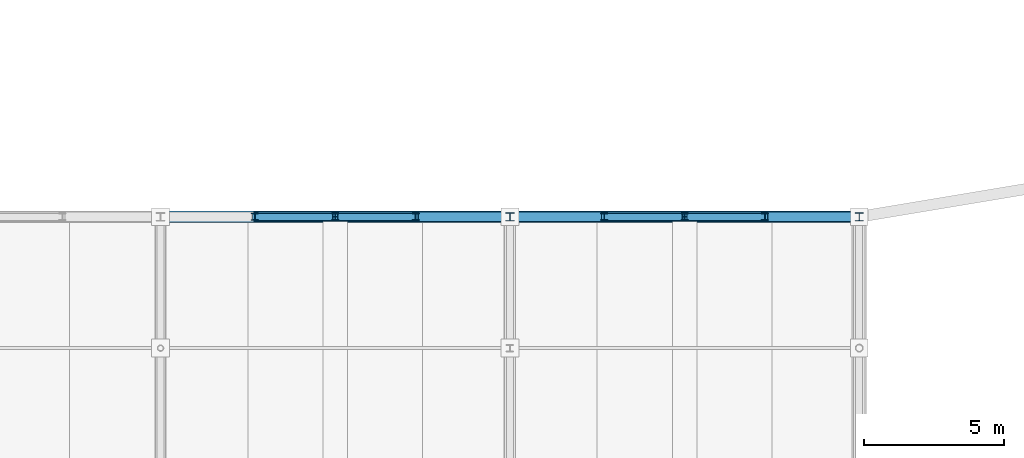
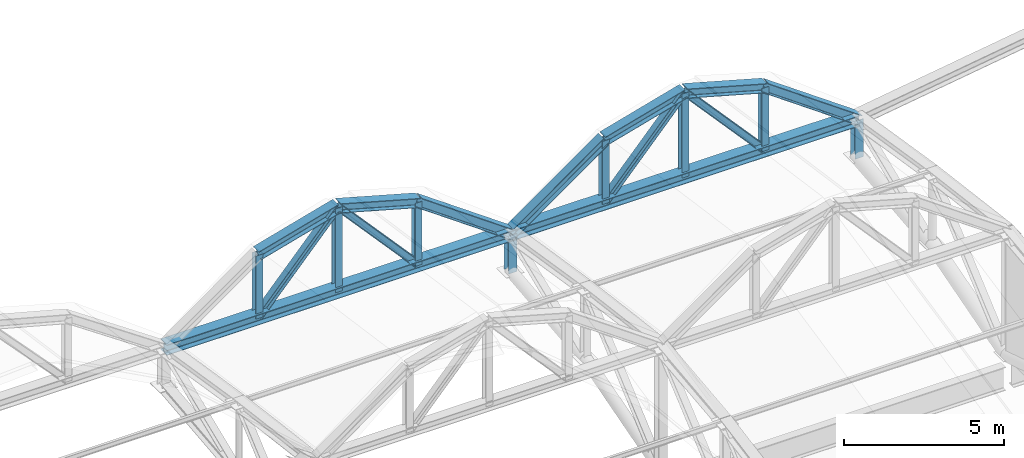
# One storey, part 58 of 117: 21 members.
"""IFC4 building model written with IfcOpenShell, lengths in metres."""

from ifc_helpers import new_model, si_unit, direction, frame, origin, origin_2d, place, context, subcontext, project, spatial, i_section, extrude, material, material_profile, profile_set, type_object, element, save


model = new_model("IFC4")

# Units and contexts
model_context = context("Model", 3, precision=1e-05, world=origin(), true_north=direction((0.0, 1.0)))
body_context = subcontext(model_context, "Body", "Model", "MODEL_VIEW")
ifc_project = project(units=[si_unit("LENGTHUNIT", "METRE"), si_unit("AREAUNIT", "SQUARE_METRE"), si_unit("VOLUMEUNIT", "CUBIC_METRE"), si_unit("PLANEANGLEUNIT", "RADIAN"), si_unit("MASSUNIT", "GRAM", prefix="KILO")], contexts=[model_context])

# Site, building, storey
site_placement = place(None, origin())
site = spatial("IfcSite", under=ifc_project, at=site_placement, CompositionType="ELEMENT")
building_placement = place(site_placement, origin())
building = spatial("IfcBuilding", under=site, at=building_placement, Name="Kazenohara Klinker Stadium", CompositionType="ELEMENT")
storey_placement = place(building_placement, frame((0.0, 0.0, 31.199951171875)))
storey = spatial("IfcBuildingStorey", under=building, at=storey_placement, Name="RF", CompositionType="ELEMENT", Elevation=31.199951171875)

# Members
ifc_material = material(Name="Steel S355", Category="steel")
ifc_material_profile_1 = material_profile(ifc_material, i_section(OverallWidth=0.39990234375, OverallDepth=0.39990234375, WebThickness=0.012939453125, FlangeThickness=0.02099609375, FilletRadius=0.02197265625, at=origin_2d()), Name="H-400x400x13x21")
ifc_profile_set_1 = profile_set([ifc_material_profile_1], Name="Steel S355")
member_type_1 = type_object("IfcMemberType", Name="MEM-CHD01", PredefinedType="CHORD", material=ifc_profile_set_1)
for number, where, z_axis, x_axis, name in (
    (1, (150.0, 45.39990234375, 3.300048828125), (-1.0, 0.0, 0.0), (0.0, -1.0, 0.0), "Inner tension ring chord TC01 segment 25"),
    (2, (137.5, 45.39990234375, 3.300048828125), (-1.0, 0.0, 0.0), (0.0, -1.0, 0.0), "Inner tension ring chord TC01 segment 26"),
):
    element("IfcMember", number, at=place(storey_placement, frame(where, z_axis=z_axis, x_axis=x_axis)), inside=storey, type_object=member_type_1, Name=name, PredefinedType="CHORD", context=body_context, shape_type="SweptSolid", body=[
        extrude(i_section(OverallWidth=0.39990234375, OverallDepth=0.39990234375, WebThickness=0.012939453125, FlangeThickness=0.02099609375, FilletRadius=0.02197265625, at=origin_2d()), origin(), (0.0, 0.0, 1.0), 12.5),
    ])
ifc_material_profile_2 = material_profile(ifc_material, i_section(OverallWidth=0.35009765625, OverallDepth=0.35009765625, WebThickness=0.011962890625, FlangeThickness=0.01904296875, FilletRadius=0.012939453125, at=origin_2d()), Name="H-350x350x12x19")
ifc_profile_set_2 = profile_set([ifc_material_profile_2], Name="Steel S355")
member_type_2 = type_object("IfcMemberType", Name="MEM-CHD02", PredefinedType="CHORD", material=ifc_profile_set_2)
for number, where, z_axis, x_axis, name in (
    (3, (128.375, 45.39990234375, 5.699951171875), (0.963393567269, 0.0, 0.268091093745), (0.0, 1.0, 0.0), "Barrel arch top rib TC02 S-06-N5-S2"),
    (4, (131.25, 45.39990234375, 6.5), (0.963393567269, 0.0, -0.268091093745), (0.0, 1.0, 0.0), "Barrel arch top rib TC02 S-06-N5-S3"),
):
    element("IfcMember", number, at=place(storey_placement, frame(where, z_axis=z_axis, x_axis=x_axis)), inside=storey, type_object=member_type_2, Name=name, PredefinedType="CHORD", context=body_context, shape_type="SweptSolid", body=[
        extrude(i_section(OverallWidth=0.35009765625, OverallDepth=0.35009765625, WebThickness=0.011962890625, FlangeThickness=0.01904296875, FilletRadius=0.012939453125, at=origin_2d()), origin(), (0.0, 0.0, 1.0), 2.984130859375),
    ])
for number, where, z_axis, x_axis, name in (
    (5, (134.125, 45.39990234375, 5.699951171875), (0.814966461491, 0.0, -0.579508124744), (0.0, 1.0, 0.0), "Barrel arch top rib TC02 S-06-N5-S4"),
    (6, (137.5, 45.39990234375, 3.300048828125), (0.814966461491, 0.0, 0.579508124744), (0.0, 1.0, 0.0), "Barrel arch top rib TC02 S-07-N5-S1"),
):
    element("IfcMember", number, at=place(storey_placement, frame(where, z_axis=z_axis, x_axis=x_axis)), inside=storey, type_object=member_type_2, Name=name, PredefinedType="CHORD", context=body_context, shape_type="SweptSolid", body=[
        extrude(i_section(OverallWidth=0.35009765625, OverallDepth=0.35009765625, WebThickness=0.011962890625, FlangeThickness=0.01904296875, FilletRadius=0.012939453125, at=origin_2d()), origin(), (0.0, 0.0, 1.0), 4.141357421875),
    ])
for number, where, z_axis, x_axis, name in (
    (7, (140.875, 45.39990234375, 5.699951171875), (0.963393567269, 0.0, 0.268091093745), (0.0, 1.0, 0.0), "Barrel arch top rib TC02 S-07-N5-S2"),
    (8, (143.75, 45.39990234375, 6.5), (0.963393567269, 0.0, -0.268091093745), (0.0, 1.0, 0.0), "Barrel arch top rib TC02 S-07-N5-S3"),
):
    element("IfcMember", number, at=place(storey_placement, frame(where, z_axis=z_axis, x_axis=x_axis)), inside=storey, type_object=member_type_2, Name=name, PredefinedType="CHORD", context=body_context, shape_type="SweptSolid", body=[
        extrude(i_section(OverallWidth=0.35009765625, OverallDepth=0.35009765625, WebThickness=0.011962890625, FlangeThickness=0.01904296875, FilletRadius=0.012939453125, at=origin_2d()), origin(), (0.0, 0.0, 1.0), 2.984130859375),
    ])
member_1_placement = place(storey_placement, frame((146.625, 45.39990234375, 5.699951171875), z_axis=(0.814966461491, 0.0, -0.579508124744), x_axis=(0.0, 1.0, 0.0)))
element("IfcMember", 9, at=member_1_placement, inside=storey, type_object=member_type_2, Name="Barrel arch top rib TC02 S-07-N5-S4", PredefinedType="CHORD", context=body_context, shape_type="SweptSolid", body=[
    extrude(i_section(OverallWidth=0.35009765625, OverallDepth=0.35009765625, WebThickness=0.011962890625, FlangeThickness=0.01904296875, FilletRadius=0.012939453125, at=origin_2d()), origin(), (0.0, 0.0, 1.0), 4.141357421875),
])
ifc_material_profile_3 = material_profile(ifc_material, i_section(OverallWidth=0.300048828125, OverallDepth=0.300048828125, WebThickness=0.010009765625, FlangeThickness=0.014892578125, FilletRadius=0.012939453125, at=origin_2d()), Name="H-300x300x10x15")
ifc_profile_set_3 = profile_set([ifc_material_profile_3], Name="Steel S355")
member_type_3 = type_object("IfcMemberType", Name="MEM-STR01", PredefinedType="STRUT", material=ifc_profile_set_3)
for number, where, z_axis, x_axis, name in (
    (10, (137.5, 45.39990234375, 1.85009765625), (0.0, 0.0, 1.0), (1.0, 0.0, 0.0), "ROOF TRUSS RT-S07 web post 6"),
    (11, (150.0, 45.39990234375, 1.85009765625), (0.0, 0.0, 1.0), (1.0, 0.0, 0.0), "ROOF TRUSS RT-S08 web post 6"),
):
    element("IfcMember", number, at=place(storey_placement, frame(where, z_axis=z_axis, x_axis=x_axis)), inside=storey, type_object=member_type_3, Name=name, PredefinedType="STRUT", context=body_context, shape_type="SweptSolid", body=[
        extrude(i_section(OverallWidth=0.300048828125, OverallDepth=0.300048828125, WebThickness=0.010009765625, FlangeThickness=0.014892578125, FilletRadius=0.012939453125, at=origin_2d()), origin(), (0.0, 0.0, 1.0), 1.449951171875),
    ])
ifc_material_profile_4 = material_profile(ifc_material, i_section(OverallWidth=0.25, OverallDepth=0.25, WebThickness=0.009033203125, FlangeThickness=0.013916015625, FilletRadius=0.012939453125, at=origin_2d()), Name="H-250x250x9x14")
ifc_profile_set_4 = profile_set([ifc_material_profile_4], Name="Steel S355")
member_type_4 = type_object("IfcMemberType", Name="MEM-STR02", PredefinedType="STRUT", material=ifc_profile_set_4)
member_2_placement = place(storey_placement, frame((128.375, 45.39990234375, 3.300048828125), z_axis=(0.0, 0.0, 1.0), x_axis=(1.0, 0.0, 0.0)))
element("IfcMember", 12, at=member_2_placement, inside=storey, type_object=member_type_4, Name="Barrel arch web post TS02 S-06-N5-P1", PredefinedType="STRUT", context=body_context, shape_type="SweptSolid", body=[
    extrude(i_section(OverallWidth=0.25, OverallDepth=0.25, WebThickness=0.009033203125, FlangeThickness=0.013916015625, FilletRadius=0.012939453125, at=origin_2d()), origin(), (0.0, 0.0, 1.0), 2.39990234375),
])
member_3_placement = place(storey_placement, frame((131.25, 45.39990234375, 3.300048828125), z_axis=(0.0, 0.0, 1.0), x_axis=(1.0, 0.0, 0.0)))
element("IfcMember", 13, at=member_3_placement, inside=storey, type_object=member_type_4, Name="Barrel arch web post TS02 S-06-N5-P2", PredefinedType="STRUT", context=body_context, shape_type="SweptSolid", body=[
    extrude(i_section(OverallWidth=0.25, OverallDepth=0.25, WebThickness=0.009033203125, FlangeThickness=0.013916015625, FilletRadius=0.012939453125, at=origin_2d()), origin(), (0.0, 0.0, 1.0), 3.199951171875),
])
member_4_placement = place(storey_placement, frame((134.125, 45.39990234375, 3.300048828125), z_axis=(0.0, 0.0, 1.0), x_axis=(1.0, 0.0, 0.0)))
element("IfcMember", 14, at=member_4_placement, inside=storey, type_object=member_type_4, Name="Barrel arch web post TS02 S-06-N5-P3", PredefinedType="STRUT", context=body_context, shape_type="SweptSolid", body=[
    extrude(i_section(OverallWidth=0.25, OverallDepth=0.25, WebThickness=0.009033203125, FlangeThickness=0.013916015625, FilletRadius=0.012939453125, at=origin_2d()), origin(), (0.0, 0.0, 1.0), 2.39990234375),
])
for number, where, z_axis, x_axis, name in (
    (15, (128.375, 45.39990234375, 3.300048828125), (0.668327970369, 0.0, 0.74386673808), (0.0, 1.0, 0.0), "Barrel arch web diagonal TS02 S-06-N5-D1"),
    (16, (134.125, 45.39990234375, 3.300048828125), (-0.668327970369, 0.0, 0.74386673808), (0.0, -1.0, 0.0), "Barrel arch web diagonal TS02 S-06-N5-D2"),
):
    element("IfcMember", number, at=place(storey_placement, frame(where, z_axis=z_axis, x_axis=x_axis)), inside=storey, type_object=member_type_4, Name=name, PredefinedType="STRUT", context=body_context, shape_type="SweptSolid", body=[
        extrude(i_section(OverallWidth=0.25, OverallDepth=0.25, WebThickness=0.009033203125, FlangeThickness=0.013916015625, FilletRadius=0.012939453125, at=origin_2d()), origin(), (0.0, 0.0, 1.0), 4.3017578125),
    ])
member_5_placement = place(storey_placement, frame((140.875, 45.39990234375, 3.300048828125), z_axis=(0.0, 0.0, 1.0), x_axis=(1.0, 0.0, 0.0)))
element("IfcMember", 17, at=member_5_placement, inside=storey, type_object=member_type_4, Name="Barrel arch web post TS02 S-07-N5-P1", PredefinedType="STRUT", context=body_context, shape_type="SweptSolid", body=[
    extrude(i_section(OverallWidth=0.25, OverallDepth=0.25, WebThickness=0.009033203125, FlangeThickness=0.013916015625, FilletRadius=0.012939453125, at=origin_2d()), origin(), (0.0, 0.0, 1.0), 2.39990234375),
])
member_6_placement = place(storey_placement, frame((143.75, 45.39990234375, 3.300048828125), z_axis=(0.0, 0.0, 1.0), x_axis=(1.0, 0.0, 0.0)))
element("IfcMember", 18, at=member_6_placement, inside=storey, type_object=member_type_4, Name="Barrel arch web post TS02 S-07-N5-P2", PredefinedType="STRUT", context=body_context, shape_type="SweptSolid", body=[
    extrude(i_section(OverallWidth=0.25, OverallDepth=0.25, WebThickness=0.009033203125, FlangeThickness=0.013916015625, FilletRadius=0.012939453125, at=origin_2d()), origin(), (0.0, 0.0, 1.0), 3.199951171875),
])
member_7_placement = place(storey_placement, frame((146.625, 45.39990234375, 3.300048828125), z_axis=(0.0, 0.0, 1.0), x_axis=(1.0, 0.0, 0.0)))
element("IfcMember", 19, at=member_7_placement, inside=storey, type_object=member_type_4, Name="Barrel arch web post TS02 S-07-N5-P3", PredefinedType="STRUT", context=body_context, shape_type="SweptSolid", body=[
    extrude(i_section(OverallWidth=0.25, OverallDepth=0.25, WebThickness=0.009033203125, FlangeThickness=0.013916015625, FilletRadius=0.012939453125, at=origin_2d()), origin(), (0.0, 0.0, 1.0), 2.39990234375),
])
for number, where, z_axis, x_axis, name in (
    (20, (140.875, 45.39990234375, 3.300048828125), (0.668327970369, 0.0, 0.74386673808), (0.0, 1.0, 0.0), "Barrel arch web diagonal TS02 S-07-N5-D1"),
    (21, (146.625, 45.39990234375, 3.300048828125), (-0.668327970369, 0.0, 0.74386673808), (0.0, -1.0, 0.0), "Barrel arch web diagonal TS02 S-07-N5-D2"),
):
    element("IfcMember", number, at=place(storey_placement, frame(where, z_axis=z_axis, x_axis=x_axis)), inside=storey, type_object=member_type_4, Name=name, PredefinedType="STRUT", context=body_context, shape_type="SweptSolid", body=[
        extrude(i_section(OverallWidth=0.25, OverallDepth=0.25, WebThickness=0.009033203125, FlangeThickness=0.013916015625, FilletRadius=0.012939453125, at=origin_2d()), origin(), (0.0, 0.0, 1.0), 4.3017578125),
    ])

save(model, "model.ifc")
